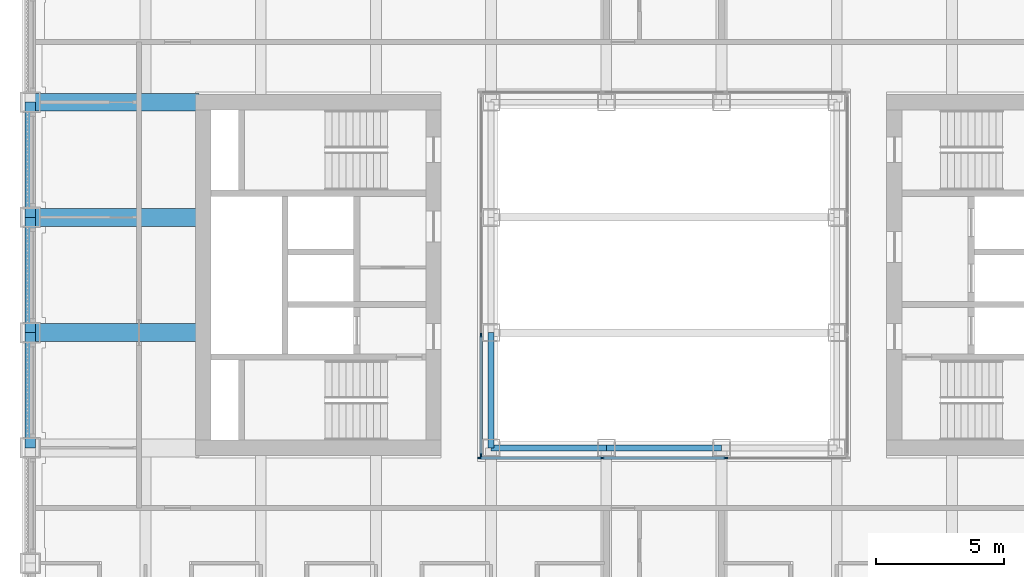
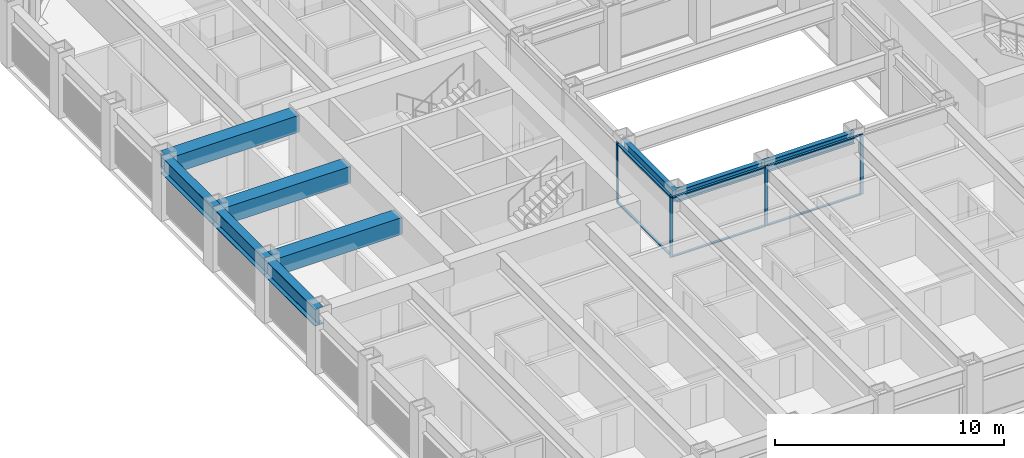
# One storey, part 3 of 21: 11 members, 9 beams, 2 elements without a shape of their own.
"""IFC4 building model written with IfcOpenShell, lengths in metres."""

import ifcopenshell
import ifcopenshell.guid

model = None  # the IFC model being written
_history = None  # IfcOwnerHistory: only IFC2X3 demands one
_inside = {}  # id of a spatial element -> (the spatial element, [elements in it])
_under = {}  # id of a project, library or spatial element -> (it, [spatial elements below it])
_declared = {}  # id of a project -> (the project, [libraries it declares])
_typed = {}  # id of a type object -> (the type object, [elements of that type])
_made_of = {}  # id of a material, layer set ... -> (it, [elements and type objects made of it])


def new_model(schema):
    """Start an empty IFC model of exactly this schema.

    Asked for "IFC4X3", IfcOpenShell would pick the latest addendum, in which some entities
    have other attributes; the version numbers below select the first issue.
    IFC2X3 requires an IfcOwnerHistory on every rooted entity: one is made here for all.
    """
    global model, _history
    if schema == "IFC4X3":
        model = ifcopenshell.file(schema_version=(4, 3, 0, 0))
    else:
        model = ifcopenshell.file(schema=schema)
    _inside.clear()
    _under.clear()
    _declared.clear()
    _typed.clear()
    _made_of.clear()
    _history = None
    if model.schema == "IFC2X3":
        org = make("IfcOrganization", Name="unknown")
        user = make(
            "IfcPersonAndOrganization",
            ThePerson=make("IfcPerson", FamilyName="unknown"),
            TheOrganization=org,
        )
        app = make(
            "IfcApplication",
            ApplicationDeveloper=org,
            Version="unknown",
            ApplicationFullName="unknown",
            ApplicationIdentifier="unknown",
        )
        _history = make(
            "IfcOwnerHistory",
            OwningUser=user,
            OwningApplication=app,
            ChangeAction="ADDED",
            CreationDate=0,
        )
    return model


def make(cls, **values):
    """One entity of the class cls with the attributes given. An attribute that is None is left unset."""
    return model.create_entity(
        cls, **{name: value for name, value in values.items() if value is not None}
    )


def rooted(cls, **values):
    """An entity with a GlobalId (a new one), such as an element, a storey or a relation."""
    return make(cls, GlobalId=ifcopenshell.guid.new(), OwnerHistory=_history, **values)


def si_unit(unit_type, name, prefix=None):
    """IfcSIUnit, for example si_unit("LENGTHUNIT", "METRE", prefix="MILLI")."""
    return make("IfcSIUnit", UnitType=unit_type, Prefix=prefix, Name=name)


def assignment(units):
    """IfcUnitAssignment: the units of a project."""
    return None if units is None else make("IfcUnitAssignment", Units=units)


def point(xyz):
    """IfcCartesianPoint."""
    return None if xyz is None else make("IfcCartesianPoint", Coordinates=xyz)


def direction(xyz):
    """IfcDirection."""
    return None if xyz is None else make("IfcDirection", DirectionRatios=xyz)


def frame(location, z_axis=None, x_axis=None):
    """IfcAxis2Placement3D, a coordinate frame: its origin and axes. An axis left out is left unset."""
    return make(
        "IfcAxis2Placement3D",
        Location=point(location),
        Axis=direction(z_axis),
        RefDirection=direction(x_axis),
    )


def frame_2d(location, x_axis=None):
    """IfcAxis2Placement2D, a coordinate frame in the plane: its origin and x axis."""
    return make(
        "IfcAxis2Placement2D", Location=point(location), RefDirection=direction(x_axis)
    )


def origin():
    """The frame at (0, 0, 0) with its axes left unset."""
    return frame((0.0, 0.0, 0.0))


def origin_2d():
    """The frame at (0, 0) in the plane with its x axis left unset."""
    return frame_2d((0.0, 0.0))


def place(relative_to, where):
    """IfcLocalPlacement: puts the frame where relative to a parent placement (None: the world)."""
    return make(
        "IfcLocalPlacement", PlacementRelTo=relative_to, RelativePlacement=where
    )


def context(
    kind, dimensions, precision=None, world=None, true_north=None, identifier=None
):
    """IfcGeometricRepresentationContext, for example the 3D "Model" context."""
    return make(
        "IfcGeometricRepresentationContext",
        ContextIdentifier=identifier,
        ContextType=kind,
        CoordinateSpaceDimension=dimensions,
        Precision=precision,
        WorldCoordinateSystem=world,
        TrueNorth=true_north,
    )


def subcontext(parent, identifier, kind, view, scale=None):
    """IfcGeometricRepresentationSubContext, for example "Body" below "Model"."""
    return make(
        "IfcGeometricRepresentationSubContext",
        ContextIdentifier=identifier,
        ContextType=kind,
        ParentContext=parent,
        TargetScale=scale,
        TargetView=view,
    )


def project(units=None, contexts=None):
    """IfcProject with its units and contexts."""
    return rooted(
        "IfcProject",
        Name="project",
        RepresentationContexts=contexts,
        UnitsInContext=assignment(units),
    )


def spatial(cls, under=None, at=None, **own):
    """A site, building, storey or space (cls), placed at a placement, below another one or the project."""
    s = rooted(cls, ObjectPlacement=at, **own)
    if under is not None:
        _under.setdefault(under.id(), (under, []))[1].append(s)
    return s


def profile(cls, at=None, kind="AREA", **sizes):
    """A parametric profile (cls). Its sizes go by their IFC names, for example OverallWidth=200.0."""
    return make(cls, ProfileType=kind, Position=at, **sizes)


def rectangle(**sizes):
    """IfcRectangleProfileDef."""
    return profile("IfcRectangleProfileDef", **sizes)


def hollow_rectangle(**sizes):
    """IfcRectangleHollowProfileDef."""
    return profile("IfcRectangleHollowProfileDef", **sizes)


def i_section(**sizes):
    """IfcIShapeProfileDef."""
    return profile("IfcIShapeProfileDef", **sizes)


def extrude(swept, where, along, depth):
    """IfcExtrudedAreaSolid: the profile swept, set in the frame where, extruded along a direction by depth."""
    return make(
        "IfcExtrudedAreaSolid",
        SweptArea=swept,
        Position=where,
        ExtrudedDirection=direction(along),
        Depth=depth,
    )


def shape(context_of_items, identifier, shape_type, items):
    """IfcShapeRepresentation: the items that make up one representation, for example the "Body"."""
    return make(
        "IfcShapeRepresentation",
        ContextOfItems=context_of_items,
        RepresentationIdentifier=identifier,
        RepresentationType=shape_type,
        Items=items,
    )


def material(Name=None, Category=None):
    """IfcMaterial."""
    return make("IfcMaterial", Name=Name, Category=Category)


def material_profile(
    of_material, cross_section, Name=None, Category=None, Priority=None
):
    """IfcMaterialProfile: a cross section and its material."""
    return make(
        "IfcMaterialProfile",
        Name=Name,
        Material=of_material,
        Profile=cross_section,
        Priority=Priority,
        Category=Category,
    )


def profile_set(profiles, Name=None, composite=None):
    """IfcMaterialProfileSet."""
    return make(
        "IfcMaterialProfileSet",
        Name=Name,
        MaterialProfiles=profiles,
        CompositeProfile=composite,
    )


def made_of(thing, what):
    """Note that an element or type object is made of a material, layer set ...; save() writes the relation."""
    if what is not None:
        _made_of.setdefault(what.id(), (what, []))[1].append(thing)
    return thing


def type_object(cls, material=None, **own):
    """A type object (cls), such as IfcWallType, which elements share."""
    return made_of(rooted(cls, **own), material)


def element(
    cls,
    number,
    at=None,
    inside=None,
    cuts=None,
    type_object=None,
    material=None,
    context=None,
    identifier="Body",
    shape_type=None,
    held_by="IfcProductDefinitionShape",
    body=None,
    shapes=None,
    **own,
):
    """One element of the class cls, such as IfcWall. Its Tag is "e" and its number.

    at: its placement. inside: the storey or other place that contains it. cuts: it is an
    opening in that element (IfcRelVoidsElement). A single representation is given by context,
    identifier, shape_type and body (its items); several are given by shapes. held_by: the class
    of the entity that holds the representations. save() writes the other relations.
    """
    e = rooted(cls, Tag="e%d" % number, ObjectPlacement=at, **own)
    if body is not None:
        shapes = [shape(context, identifier, shape_type, body)]
    if shapes is not None:
        e.Representation = make(held_by, Representations=shapes)
    if inside is not None:
        _inside.setdefault(inside.id(), (inside, []))[1].append(e)
    if cuts is not None:
        rooted(
            "IfcRelVoidsElement", RelatingBuildingElement=cuts, RelatedOpeningElement=e
        )
    if type_object is not None:
        _typed.setdefault(type_object.id(), (type_object, []))[1].append(e)
    return made_of(e, material)


def aggregate(whole, parts):
    """IfcRelAggregates: a whole, such as a stair, and the parts it consists of."""
    return rooted("IfcRelAggregates", RelatingObject=whole, RelatedObjects=parts)


def save(model, path):
    """Write the relations noted so far, then the file.

    IfcRelAggregates (storeys below a building ...), IfcRelContainedInSpatialStructure (elements
    in a storey), IfcRelDefinesByType, IfcRelAssociatesMaterial and IfcRelDeclares: one each for
    every whole, place, type object, material and project.
    """
    for whole, parts in _under.values():
        aggregate(whole, parts)
    for where, things in _inside.values():
        rooted(
            "IfcRelContainedInSpatialStructure",
            RelatedElements=things,
            RelatingStructure=where,
        )
    for kind, things in _typed.values():
        rooted("IfcRelDefinesByType", RelatedObjects=things, RelatingType=kind)
    for what, things in _made_of.values():
        rooted("IfcRelAssociatesMaterial", RelatedObjects=things, RelatingMaterial=what)
    for by, libraries in _declared.values():
        rooted("IfcRelDeclares", RelatingContext=by, RelatedDefinitions=libraries)
    model.write(path)


model = new_model("IFC4")

# Units and contexts
model_context = context("Model", 3, precision=1e-05, world=origin(), true_north=direction((0.0, 1.0)))
body_context = subcontext(model_context, "Body", "Model", "MODEL_VIEW")
ifc_project = project(units=[si_unit("LENGTHUNIT", "METRE"), si_unit("AREAUNIT", "SQUARE_METRE"), si_unit("VOLUMEUNIT", "CUBIC_METRE"), si_unit("PLANEANGLEUNIT", "RADIAN"), si_unit("MASSUNIT", "GRAM", prefix="KILO")], contexts=[model_context])

# Site, building, storey
site_placement = place(None, origin())
site = spatial("IfcSite", under=ifc_project, at=site_placement, CompositionType="ELEMENT")
building_placement = place(site_placement, origin())
building = spatial("IfcBuilding", under=site, at=building_placement, Name="Msasa Ring Tower", CompositionType="ELEMENT")
storey_placement = place(building_placement, frame((0.0, 0.0, 103.5)))
storey = spatial("IfcBuildingStorey", under=building, at=storey_placement, Name="L27", CompositionType="ELEMENT", Elevation=103.5)

# Curtain wall, members
ifc_material_1 = material(Name="Aluminium curtain wall with clear glass", Category="aluminium")
curtain_wall_type = type_object("IfcCurtainWallType", Name="CW-W LIGHT WELL CURTAIN WALL", PredefinedType="NOTDEFINED", material=ifc_material_1)
curtain_wall_1_placement = place(storey_placement, origin())
curtain_wall_1 = element("IfcCurtainWall", 1, at=curtain_wall_1_placement, inside=storey, type_object=curtain_wall_type, Name="Light well curtain wall S L27", PredefinedType="NOTDEFINED")
ifc_material_2 = material(Name="Aluminium mullion", Category="aluminium")
ifc_material_profile_1 = material_profile(ifc_material_2, rectangle(XDim=0.06005859375, YDim=0.159912109375, at=origin_2d()), Name="AL 60x160")
ifc_profile_set_1 = profile_set([ifc_material_profile_1], Name="Aluminium mullion")
member_type_1 = type_object("IfcMemberType", Name="CW-W MULLION 60x160", PredefinedType="MULLION", material=ifc_profile_set_1)
member_1_placement = place(storey_placement, frame((-7.199951171875, -7.14990234375, 0.0), z_axis=(0.0, 0.0, 1.0), x_axis=(0.0, 1.0, 0.0)))
member_1 = element("IfcMember", 2, at=member_1_placement, type_object=member_type_1, Name="CW-W mullion 1", PredefinedType="MULLION", context=body_context, shape_type="SweptSolid", body=[
    extrude(rectangle(XDim=0.06005859375, YDim=0.159912109375, at=origin_2d()), origin(), (0.0, 0.0, 1.0), 3.199951171875),
])
member_2_placement = place(storey_placement, frame((-2.409912109375, -7.14990234375, 0.0), z_axis=(0.0, 0.0, 1.0), x_axis=(0.0, 1.0, 0.0)))
member_2 = element("IfcMember", 3, at=member_2_placement, type_object=member_type_1, Name="CW-W mullion 2", PredefinedType="MULLION", context=body_context, shape_type="SweptSolid", body=[
    extrude(rectangle(XDim=0.06005859375, YDim=0.159912109375, at=origin_2d()), origin(), (0.0, 0.0, 1.0), 3.199951171875),
])
member_3_placement = place(storey_placement, frame((2.409912109375, -7.14990234375, 0.0), z_axis=(0.0, 0.0, 1.0), x_axis=(0.0, 1.0, 0.0)))
member_3 = element("IfcMember", 4, at=member_3_placement, type_object=member_type_1, Name="CW-W mullion 3", PredefinedType="MULLION", context=body_context, shape_type="SweptSolid", body=[
    extrude(rectangle(XDim=0.06005859375, YDim=0.159912109375, at=origin_2d()), origin(), (0.0, 0.0, 1.0), 3.199951171875),
])

curtain_wall_2_placement = place(storey_placement, origin())
curtain_wall_2 = element("IfcCurtainWall", 5, at=curtain_wall_2_placement, inside=storey, type_object=curtain_wall_type, Name="Light well curtain wall W L27", PredefinedType="NOTDEFINED")
member_4_placement = place(storey_placement, frame((-7.14990234375, -7.0400390625, 0.0), z_axis=(0.0, 0.0, 1.0), x_axis=(-1.0, 0.0, 0.0)))
member_4 = element("IfcMember", 6, at=member_4_placement, type_object=member_type_1, Name="CW-W mullion 1", PredefinedType="MULLION", context=body_context, shape_type="SweptSolid", body=[
    extrude(rectangle(XDim=0.06005859375, YDim=0.159912109375, at=origin_2d()), origin(), (0.0, 0.0, 1.0), 3.199951171875),
])
member_5_placement = place(storey_placement, frame((-7.14990234375, -2.356689453125, 0.0), z_axis=(0.0, 0.0, 1.0), x_axis=(-1.0, 0.0, 0.0)))
member_5 = element("IfcMember", 7, at=member_5_placement, type_object=member_type_1, Name="CW-W mullion 2", PredefinedType="MULLION", context=body_context, shape_type="SweptSolid", body=[
    extrude(rectangle(XDim=0.06005859375, YDim=0.159912109375, at=origin_2d()), origin(), (0.0, 0.0, 1.0), 3.199951171875),
])

# Member
ifc_material_3 = material(Name="Aluminium transom", Category="aluminium")
ifc_material_profile_2 = material_profile(ifc_material_3, rectangle(XDim=0.1201171875, YDim=0.06005859375, at=origin_2d()), Name="AL 60x120")
ifc_profile_set_2 = profile_set([ifc_material_profile_2], Name="Aluminium transom")
member_type_2 = type_object("IfcMemberType", Name="CW-W TRANSOM 60x120", PredefinedType="USERDEFINED", material=ifc_profile_set_2)
member_6_placement = place(storey_placement, frame((-7.169921875, -7.14990234375, 0.030029296875), z_axis=(1.0, 0.0, 0.0), x_axis=(0.0, 1.0, 0.0)))
member_6 = element("IfcMember", 8, at=member_6_placement, type_object=member_type_2, Name="CW-W transom 1.1", ObjectType="TRANSOM", PredefinedType="USERDEFINED", context=body_context, shape_type="SweptSolid", body=[
    extrude(rectangle(XDim=0.1201171875, YDim=0.06005859375, at=origin_2d()), origin(), (0.0, 0.0, 1.0), 4.72998046875),
])

member_7_placement = place(storey_placement, frame((-7.169921875, -7.14990234375, 3.169921875), z_axis=(1.0, 0.0, 0.0), x_axis=(0.0, 1.0, 0.0)))
member_7 = element("IfcMember", 9, at=member_7_placement, type_object=member_type_2, Name="CW-W transom 1.2", ObjectType="TRANSOM", PredefinedType="USERDEFINED", context=body_context, shape_type="SweptSolid", body=[
    extrude(rectangle(XDim=0.1201171875, YDim=0.06005859375, at=origin_2d()), origin(), (0.0, 0.0, 1.0), 4.72998046875),
])

member_8_placement = place(storey_placement, frame((-2.3798828125, -7.14990234375, 0.030029296875), z_axis=(1.0, 0.0, 0.0), x_axis=(0.0, 1.0, 0.0)))
member_8 = element("IfcMember", 10, at=member_8_placement, type_object=member_type_2, Name="CW-W transom 2.1", ObjectType="TRANSOM", PredefinedType="USERDEFINED", context=body_context, shape_type="SweptSolid", body=[
    extrude(rectangle(XDim=0.1201171875, YDim=0.06005859375, at=origin_2d()), origin(), (0.0, 0.0, 1.0), 4.759765625),
])

member_9_placement = place(storey_placement, frame((-2.3798828125, -7.14990234375, 3.169921875), z_axis=(1.0, 0.0, 0.0), x_axis=(0.0, 1.0, 0.0)))
member_9 = element("IfcMember", 11, at=member_9_placement, type_object=member_type_2, Name="CW-W transom 2.2", ObjectType="TRANSOM", PredefinedType="USERDEFINED", context=body_context, shape_type="SweptSolid", body=[
    extrude(rectangle(XDim=0.1201171875, YDim=0.06005859375, at=origin_2d()), origin(), (0.0, 0.0, 1.0), 4.759765625),
])

aggregate(curtain_wall_1, [member_1, member_2, member_3, member_6, member_7, member_8, member_9])

member_10_placement = place(storey_placement, frame((-7.14990234375, -7.010009765625, 0.030029296875), z_axis=(0.0, 1.0, 0.0), x_axis=(-1.0, 0.0, 0.0)))
member_10 = element("IfcMember", 12, at=member_10_placement, type_object=member_type_2, Name="CW-W transom 1.1", ObjectType="TRANSOM", PredefinedType="USERDEFINED", context=body_context, shape_type="SweptSolid", body=[
    extrude(rectangle(XDim=0.1201171875, YDim=0.06005859375, at=origin_2d()), origin(), (0.0, 0.0, 1.0), 4.623291015625),
])

member_11_placement = place(storey_placement, frame((-7.14990234375, -7.010009765625, 3.169921875), z_axis=(0.0, 1.0, 0.0), x_axis=(-1.0, 0.0, 0.0)))
member_11 = element("IfcMember", 13, at=member_11_placement, type_object=member_type_2, Name="CW-W transom 1.2", ObjectType="TRANSOM", PredefinedType="USERDEFINED", context=body_context, shape_type="SweptSolid", body=[
    extrude(rectangle(XDim=0.1201171875, YDim=0.06005859375, at=origin_2d()), origin(), (0.0, 0.0, 1.0), 4.623291015625),
])

aggregate(curtain_wall_2, [member_4, member_5, member_10, member_11])

# Beams
ifc_material_4 = material(Name="Steel S355", Category="steel")
ifc_material_profile_3 = material_profile(ifc_material_4, hollow_rectangle(XDim=0.699951171875, YDim=0.89990234375, WallThickness=0.080078125, at=origin_2d()), Name="BOX 900x700x80")
ifc_profile_set_3 = profile_set([ifc_material_profile_3], Name="Steel S355")
beam_type_1 = type_object("IfcBeamType", Name="FB4 BOX 900x700x80", PredefinedType="BEAM", material=ifc_profile_set_3)
for number, where, z_axis, x_axis, name in (
    (14, (-24.75, -2.25, 2.75), (1.0, 0.0, 0.0), (0.0, 1.0, 0.0), "Floor beam W -2.25 under L28"),
    (15, (-24.75, 2.25, 2.75), (1.0, 0.0, 0.0), (0.0, 1.0, 0.0), "Floor beam W +2.25 under L28"),
):
    element("IfcBeam", number, at=place(storey_placement, frame(where, z_axis=z_axis, x_axis=x_axis)), inside=storey, type_object=beam_type_1, Name=name, PredefinedType="BEAM", context=body_context, shape_type="SweptSolid", body=[
        extrude(hollow_rectangle(XDim=0.699951171875, YDim=0.89990234375, WallThickness=0.080078125, at=origin_2d()), origin(), (0.0, 0.0, 1.0), 6.60009765625),
    ])
ifc_material_5 = material(Name="Steel S355", Category="steel")
ifc_material_profile_4 = material_profile(ifc_material_5, hollow_rectangle(XDim=0.699951171875, YDim=0.89990234375, WallThickness=0.080078125, at=origin_2d()), Name="BOX 900x700x80")
ifc_profile_set_4 = profile_set([ifc_material_profile_4], Name="Steel S355")
beam_type_2 = type_object("IfcBeamType", Name="GB2 BOX 900x700x80", PredefinedType="BEAM", material=ifc_profile_set_4)
beam_placement = place(storey_placement, frame((-18.14990234375, 6.75, 2.75), z_axis=(-1.0, 0.0, 0.0), x_axis=(0.0, -1.0, 0.0)))
element("IfcBeam", 16, at=beam_placement, inside=storey, type_object=beam_type_2, Name="Girder W +6.75 under L28", PredefinedType="BEAM", context=body_context, shape_type="SweptSolid", body=[
    extrude(hollow_rectangle(XDim=0.699951171875, YDim=0.89990234375, WallThickness=0.080078125, at=origin_2d()), origin(), (0.0, 0.0, 1.0), 6.60009765625),
])
ifc_material_6 = material(Name="Steel S355", Category="steel")
ifc_material_profile_5 = material_profile(ifc_material_6, i_section(OverallWidth=0.230224609375, OverallDepth=0.6171875, WebThickness=0.01318359375, FlangeThickness=0.022216796875, FilletRadius=0.0126953125, at=origin_2d()), Name="UB 610x229x140")
ifc_profile_set_5 = profile_set([ifc_material_profile_5], Name="Steel S355")
beam_type_3 = type_object("IfcBeamType", Name="RB1 UB 610x229x140", PredefinedType="BEAM", material=ifc_profile_set_5)
for number, where, z_axis, x_axis, name in (
    (17, (-6.75, -2.25, 2.891357421875), (0.0, -1.0, 0.0), (1.0, 0.0, 0.0), "Inner ring beam IR-6.75-2.25 under L28"),
    (18, (-6.75, -6.75, 2.891357421875), (1.0, 0.0, 0.0), (0.0, 1.0, 0.0), "Inner ring beam IR-6.75-6.75 under L28"),
    (19, (-2.25, -6.75, 2.891357421875), (1.0, 0.0, 0.0), (0.0, 1.0, 0.0), "Inner ring beam IR-2.25-6.75 under L28"),
):
    element("IfcBeam", number, at=place(storey_placement, frame(where, z_axis=z_axis, x_axis=x_axis)), inside=storey, type_object=beam_type_3, Name=name, PredefinedType="BEAM", context=body_context, shape_type="SweptSolid", body=[
        extrude(i_section(OverallWidth=0.230224609375, OverallDepth=0.6171875, WebThickness=0.01318359375, FlangeThickness=0.022216796875, FilletRadius=0.0126953125, at=origin_2d()), origin(), (0.0, 0.0, 1.0), 4.5),
    ])
ifc_material_7 = material(Name="Steel S355", Category="steel")
ifc_material_profile_6 = material_profile(ifc_material_7, i_section(OverallWidth=0.42041015625, OverallDepth=0.9208984375, WebThickness=0.021484375, FlangeThickness=0.03662109375, FilletRadius=0.024169921875, at=origin_2d()), Name="UB 914x419x388")
ifc_profile_set_6 = profile_set([ifc_material_profile_6], Name="Steel S355")
beam_type_4 = type_object("IfcBeamType", Name="SB1 UB 914x419x388", PredefinedType="SPANDREL", material=ifc_profile_set_6)
for number, where, z_axis, x_axis, name in (
    (20, (-24.75, -2.25, 2.739501953125), (0.0, -1.0, 0.0), (1.0, 0.0, 0.0), "Spandrel W-2.25 to W-6.75 under L28"),
    (21, (-24.75, 6.75, 2.739501953125), (0.0, -1.0, 0.0), (1.0, 0.0, 0.0), "Spandrel W+6.75 to W+2.25 under L28"),
    (22, (-24.75, 2.25, 2.739501953125), (0.0, -1.0, 0.0), (1.0, 0.0, 0.0), "Spandrel W+2.25 to W-2.25 under L28"),
):
    element("IfcBeam", number, at=place(storey_placement, frame(where, z_axis=z_axis, x_axis=x_axis)), inside=storey, type_object=beam_type_4, Name=name, PredefinedType="SPANDREL", context=body_context, shape_type="SweptSolid", body=[
        extrude(i_section(OverallWidth=0.42041015625, OverallDepth=0.9208984375, WebThickness=0.021484375, FlangeThickness=0.03662109375, FilletRadius=0.024169921875, at=origin_2d()), origin(), (0.0, 0.0, 1.0), 4.5),
    ])

save(model, "model.ifc")
